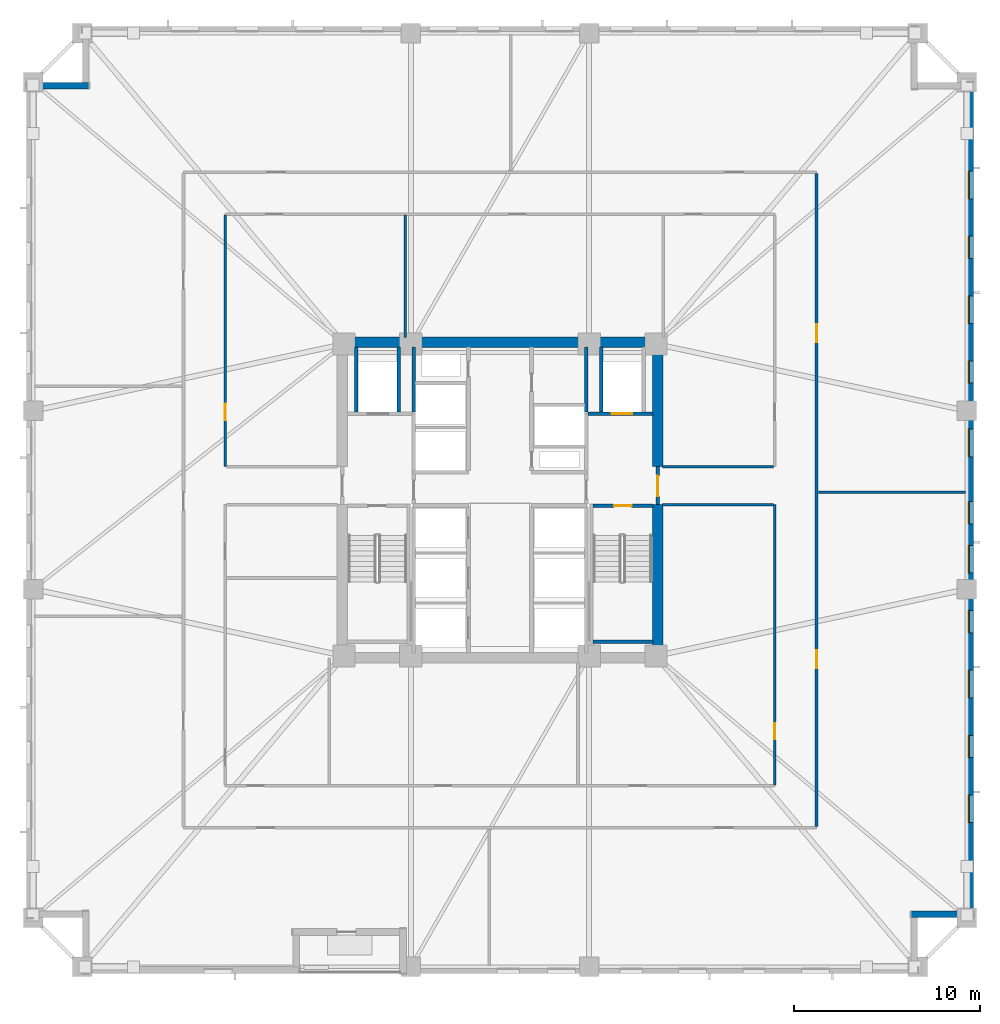
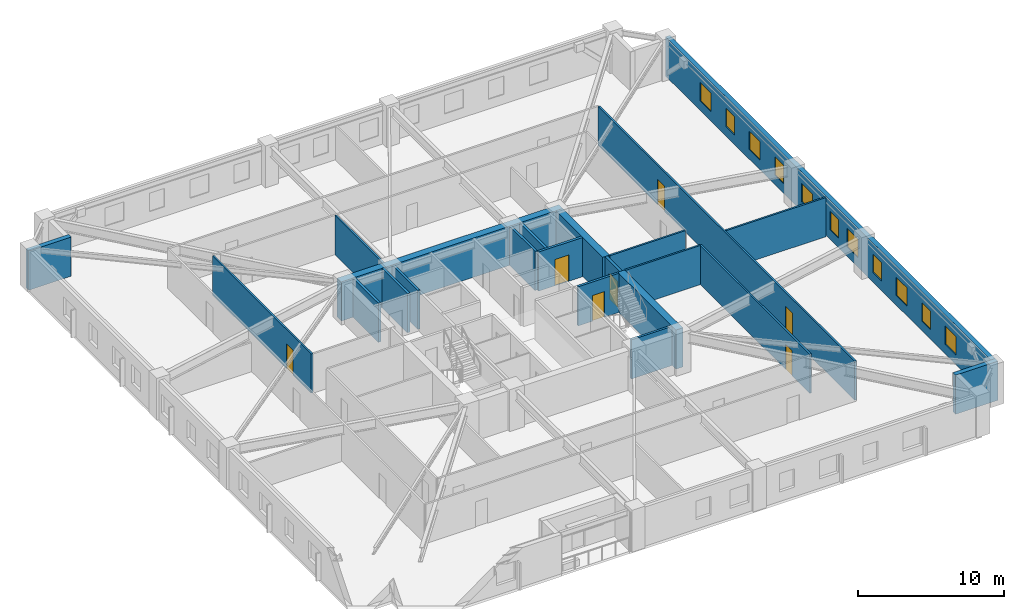
# One storey, part 4 of 10: 22 walls, 11 windows, 7 doors, 18 openings.
"""IFC4 building model written with IfcOpenShell, lengths in metres."""

import ifcopenshell
import ifcopenshell.guid

model = None  # the IFC model being written
_history = None  # IfcOwnerHistory: only IFC2X3 demands one
_inside = {}  # id of a spatial element -> (the spatial element, [elements in it])
_under = {}  # id of a project, library or spatial element -> (it, [spatial elements below it])
_declared = {}  # id of a project -> (the project, [libraries it declares])
_typed = {}  # id of a type object -> (the type object, [elements of that type])
_made_of = {}  # id of a material, layer set ... -> (it, [elements and type objects made of it])


def new_model(schema):
    """Start an empty IFC model of exactly this schema.

    Asked for "IFC4X3", IfcOpenShell would pick the latest addendum, in which some entities
    have other attributes; the version numbers below select the first issue.
    IFC2X3 requires an IfcOwnerHistory on every rooted entity: one is made here for all.
    """
    global model, _history
    if schema == "IFC4X3":
        model = ifcopenshell.file(schema_version=(4, 3, 0, 0))
    else:
        model = ifcopenshell.file(schema=schema)
    _inside.clear()
    _under.clear()
    _declared.clear()
    _typed.clear()
    _made_of.clear()
    _history = None
    if model.schema == "IFC2X3":
        org = make("IfcOrganization", Name="unknown")
        user = make(
            "IfcPersonAndOrganization",
            ThePerson=make("IfcPerson", FamilyName="unknown"),
            TheOrganization=org,
        )
        app = make(
            "IfcApplication",
            ApplicationDeveloper=org,
            Version="unknown",
            ApplicationFullName="unknown",
            ApplicationIdentifier="unknown",
        )
        _history = make(
            "IfcOwnerHistory",
            OwningUser=user,
            OwningApplication=app,
            ChangeAction="ADDED",
            CreationDate=0,
        )
    return model


def make(cls, **values):
    """One entity of the class cls with the attributes given. An attribute that is None is left unset."""
    return model.create_entity(
        cls, **{name: value for name, value in values.items() if value is not None}
    )


def rooted(cls, **values):
    """An entity with a GlobalId (a new one), such as an element, a storey or a relation."""
    return make(cls, GlobalId=ifcopenshell.guid.new(), OwnerHistory=_history, **values)


def si_unit(unit_type, name, prefix=None):
    """IfcSIUnit, for example si_unit("LENGTHUNIT", "METRE", prefix="MILLI")."""
    return make("IfcSIUnit", UnitType=unit_type, Prefix=prefix, Name=name)


def assignment(units):
    """IfcUnitAssignment: the units of a project."""
    return None if units is None else make("IfcUnitAssignment", Units=units)


def point(xyz):
    """IfcCartesianPoint."""
    return None if xyz is None else make("IfcCartesianPoint", Coordinates=xyz)


def direction(xyz):
    """IfcDirection."""
    return None if xyz is None else make("IfcDirection", DirectionRatios=xyz)


def frame(location, z_axis=None, x_axis=None):
    """IfcAxis2Placement3D, a coordinate frame: its origin and axes. An axis left out is left unset."""
    return make(
        "IfcAxis2Placement3D",
        Location=point(location),
        Axis=direction(z_axis),
        RefDirection=direction(x_axis),
    )


def frame_2d(location, x_axis=None):
    """IfcAxis2Placement2D, a coordinate frame in the plane: its origin and x axis."""
    return make(
        "IfcAxis2Placement2D", Location=point(location), RefDirection=direction(x_axis)
    )


def origin():
    """The frame at (0, 0, 0) with its axes left unset."""
    return frame((0.0, 0.0, 0.0))


def place(relative_to, where):
    """IfcLocalPlacement: puts the frame where relative to a parent placement (None: the world)."""
    return make(
        "IfcLocalPlacement", PlacementRelTo=relative_to, RelativePlacement=where
    )


def context(
    kind, dimensions, precision=None, world=None, true_north=None, identifier=None
):
    """IfcGeometricRepresentationContext, for example the 3D "Model" context."""
    return make(
        "IfcGeometricRepresentationContext",
        ContextIdentifier=identifier,
        ContextType=kind,
        CoordinateSpaceDimension=dimensions,
        Precision=precision,
        WorldCoordinateSystem=world,
        TrueNorth=true_north,
    )


def subcontext(parent, identifier, kind, view, scale=None):
    """IfcGeometricRepresentationSubContext, for example "Body" below "Model"."""
    return make(
        "IfcGeometricRepresentationSubContext",
        ContextIdentifier=identifier,
        ContextType=kind,
        ParentContext=parent,
        TargetScale=scale,
        TargetView=view,
    )


def project(units=None, contexts=None):
    """IfcProject with its units and contexts."""
    return rooted(
        "IfcProject",
        Name="project",
        RepresentationContexts=contexts,
        UnitsInContext=assignment(units),
    )


def spatial(cls, under=None, at=None, **own):
    """A site, building, storey or space (cls), placed at a placement, below another one or the project."""
    s = rooted(cls, ObjectPlacement=at, **own)
    if under is not None:
        _under.setdefault(under.id(), (under, []))[1].append(s)
    return s


def profile(cls, at=None, kind="AREA", **sizes):
    """A parametric profile (cls). Its sizes go by their IFC names, for example OverallWidth=200.0."""
    return make(cls, ProfileType=kind, Position=at, **sizes)


def rectangle(**sizes):
    """IfcRectangleProfileDef."""
    return profile("IfcRectangleProfileDef", **sizes)


def extrude(swept, where, along, depth):
    """IfcExtrudedAreaSolid: the profile swept, set in the frame where, extruded along a direction by depth."""
    return make(
        "IfcExtrudedAreaSolid",
        SweptArea=swept,
        Position=where,
        ExtrudedDirection=direction(along),
        Depth=depth,
    )


def shape(context_of_items, identifier, shape_type, items):
    """IfcShapeRepresentation: the items that make up one representation, for example the "Body"."""
    return make(
        "IfcShapeRepresentation",
        ContextOfItems=context_of_items,
        RepresentationIdentifier=identifier,
        RepresentationType=shape_type,
        Items=items,
    )


def material(Name=None, Category=None):
    """IfcMaterial."""
    return make("IfcMaterial", Name=Name, Category=Category)


def layer(
    of_material, thickness, ventilated=None, Name=None, Category=None, Priority=None
):
    """IfcMaterialLayer: one layer of a wall or slab, of a material (None: an air gap)."""
    return make(
        "IfcMaterialLayer",
        Material=of_material,
        LayerThickness=thickness,
        IsVentilated=ventilated,
        Name=Name,
        Category=Category,
        Priority=Priority,
    )


def layer_set(layers, Name=None):
    """IfcMaterialLayerSet."""
    return make("IfcMaterialLayerSet", MaterialLayers=layers, LayerSetName=Name)


def made_of(thing, what):
    """Note that an element or type object is made of a material, layer set ...; save() writes the relation."""
    if what is not None:
        _made_of.setdefault(what.id(), (what, []))[1].append(thing)
    return thing


def type_object(cls, material=None, **own):
    """A type object (cls), such as IfcWallType, which elements share."""
    return made_of(rooted(cls, **own), material)


def element(
    cls,
    number,
    at=None,
    inside=None,
    cuts=None,
    type_object=None,
    material=None,
    context=None,
    identifier="Body",
    shape_type=None,
    held_by="IfcProductDefinitionShape",
    body=None,
    shapes=None,
    **own,
):
    """One element of the class cls, such as IfcWall. Its Tag is "e" and its number.

    at: its placement. inside: the storey or other place that contains it. cuts: it is an
    opening in that element (IfcRelVoidsElement). A single representation is given by context,
    identifier, shape_type and body (its items); several are given by shapes. held_by: the class
    of the entity that holds the representations. save() writes the other relations.
    """
    e = rooted(cls, Tag="e%d" % number, ObjectPlacement=at, **own)
    if body is not None:
        shapes = [shape(context, identifier, shape_type, body)]
    if shapes is not None:
        e.Representation = make(held_by, Representations=shapes)
    if inside is not None:
        _inside.setdefault(inside.id(), (inside, []))[1].append(e)
    if cuts is not None:
        rooted(
            "IfcRelVoidsElement", RelatingBuildingElement=cuts, RelatedOpeningElement=e
        )
    if type_object is not None:
        _typed.setdefault(type_object.id(), (type_object, []))[1].append(e)
    return made_of(e, material)


def fill(opening, filler):
    """IfcRelFillsElement: the door or window that sits in an opening."""
    return rooted(
        "IfcRelFillsElement",
        RelatingOpeningElement=opening,
        RelatedBuildingElement=filler,
    )


def aggregate(whole, parts):
    """IfcRelAggregates: a whole, such as a stair, and the parts it consists of."""
    return rooted("IfcRelAggregates", RelatingObject=whole, RelatedObjects=parts)


def save(model, path):
    """Write the relations noted so far, then the file.

    IfcRelAggregates (storeys below a building ...), IfcRelContainedInSpatialStructure (elements
    in a storey), IfcRelDefinesByType, IfcRelAssociatesMaterial and IfcRelDeclares: one each for
    every whole, place, type object, material and project.
    """
    for whole, parts in _under.values():
        aggregate(whole, parts)
    for where, things in _inside.values():
        rooted(
            "IfcRelContainedInSpatialStructure",
            RelatedElements=things,
            RelatingStructure=where,
        )
    for kind, things in _typed.values():
        rooted("IfcRelDefinesByType", RelatedObjects=things, RelatingType=kind)
    for what, things in _made_of.values():
        rooted("IfcRelAssociatesMaterial", RelatedObjects=things, RelatingMaterial=what)
    for by, libraries in _declared.values():
        rooted("IfcRelDeclares", RelatingContext=by, RelatedDefinitions=libraries)
    model.write(path)


model = new_model("IFC4")

# Units and contexts
model_context = context("Model", 3, precision=1e-05, world=origin(), true_north=direction((0.0, 1.0)))
body_context = subcontext(model_context, "Body", "Model", "MODEL_VIEW")
ifc_project = project(units=[si_unit("LENGTHUNIT", "METRE"), si_unit("AREAUNIT", "SQUARE_METRE"), si_unit("VOLUMEUNIT", "CUBIC_METRE"), si_unit("PLANEANGLEUNIT", "RADIAN"), si_unit("MASSUNIT", "GRAM", prefix="KILO")], contexts=[model_context])

# Site, building, storey
site_placement = place(None, origin())
site = spatial("IfcSite", under=ifc_project, at=site_placement, CompositionType="ELEMENT")
building_placement = place(site_placement, origin())
building = spatial("IfcBuilding", under=site, at=building_placement, Name="Cairnveth Concourse Tower", CompositionType="ELEMENT")
storey_placement = place(building_placement, frame((0.0, 0.0, 30.5)))
storey = spatial("IfcBuildingStorey", under=building, at=storey_placement, Name="L07", CompositionType="ELEMENT", Elevation=30.5)

# Walls
ifc_material_1 = material(Name="Concrete N80 (80 MPa)", Category="concrete")
ifc_layer_1 = layer(ifc_material_1, 0.550048828125)
ifc_layer_set_1 = layer_set([ifc_layer_1], Name="Concrete N80 (80 MPa)")
wall_type_1 = type_object("IfcWallType", Name="CORE SHEAR WALL 550", PredefinedType="SHEAR", material=ifc_layer_set_1)
wall_1_placement = place(storey_placement, frame((43.22509765625, 47.5, 0.0), z_axis=(0.0, 0.0, 1.0), x_axis=(1.0, 0.0, 0.0)))
element("IfcWall", 1, at=wall_1_placement, inside=storey, type_object=wall_type_1, Name="Core North Shear Wall L07", PredefinedType="SHEAR", context=body_context, shape_type="SweptSolid", body=[
    extrude(rectangle(XDim=17.5498046875, YDim=0.550048828125, at=frame_2d((8.77490234375, 0.0))), origin(), (0.0, 0.0, 1.0), 3.280029296875),
])
wall_2_placement = place(storey_placement, frame((60.5, 30.764892578125, 0.0), z_axis=(0.0, 0.0, 1.0), x_axis=(0.0, 1.0, 0.0)))
element("IfcWall", 2, at=wall_2_placement, inside=storey, type_object=wall_type_1, Name="Core East Shear Wall S L07", PredefinedType="SHEAR", context=body_context, shape_type="SweptSolid", body=[
    extrude(rectangle(XDim=7.985107421875, YDim=0.550048828125, at=frame_2d((3.99267578125, 0.0))), origin(), (0.0, 0.0, 1.0), 3.280029296875),
])
wall_3_placement = place(storey_placement, frame((60.5, 40.800048828125, 0.0), z_axis=(0.0, 0.0, 1.0), x_axis=(0.0, 1.0, 0.0)))
element("IfcWall", 3, at=wall_3_placement, inside=storey, type_object=wall_type_1, Name="Core East Shear Wall N L07", PredefinedType="SHEAR", context=body_context, shape_type="SweptSolid", body=[
    extrude(rectangle(XDim=6.43505859375, YDim=0.550048828125, at=frame_2d((3.217529296875, 0.0))), origin(), (0.0, 0.0, 1.0), 3.280029296875),
])
ifc_material_2 = material(Name="Concrete N50 (50 MPa)", Category="concrete")
ifc_layer_2 = layer(ifc_material_2, 0.179931640625)
ifc_layer_set_2 = layer_set([ifc_layer_2], Name="Concrete N50 (50 MPa)")
wall_type_2 = type_object("IfcWallType", Name="FIRE SHAFT WALL 180", PredefinedType="SOLIDWALL", material=ifc_layer_set_2)
for number, where, z_axis, x_axis, name in (
    (4, (47.35009765625, 43.735107421875, 0.0), (0.0, 0.0, 1.0), (0.0, 1.0, 0.0), "Interior Wall IW-L07-031"),
    (5, (56.64990234375, 43.735107421875, 0.0), (0.0, 0.0, 1.0), (0.0, 1.0, 0.0), "Interior Wall IW-L07-034"),
):
    element("IfcWall", number, at=place(storey_placement, frame(where, z_axis=z_axis, x_axis=x_axis)), inside=storey, type_object=wall_type_2, Name=name, PredefinedType="SOLIDWALL", context=body_context, shape_type="SweptSolid", body=[
        extrude(rectangle(XDim=3.5048828125, YDim=0.179931640625, at=frame_2d((1.75244140625, 0.0))), origin(), (0.0, 0.0, 1.0), 3.280029296875),
    ])

# Wall, opening, door
wall_4_placement = place(storey_placement, frame((57.0048828125, 38.68994140625, 0.0), z_axis=(0.0, 0.0, 1.0), x_axis=(1.0, 0.0, 0.0)))
wall_4 = element("IfcWall", 6, at=wall_4_placement, inside=storey, type_object=wall_type_2, Name="Stair ST-2 Shaft Wall NEAR L07", PredefinedType="SOLIDWALL", context=body_context, shape_type="SweptSolid", body=[
    extrude(rectangle(XDim=3.230224609375, YDim=0.179931640625, at=frame_2d((1.615234375, 0.0))), origin(), (0.0, 0.0, 1.0), 3.280029296875),
])
opening_1_placement = place(wall_4_placement, frame((1.139892578125, 0.0, 0.0)))
opening_1 = element("IfcOpeningElement", 7, at=opening_1_placement, cuts=wall_4, Name="Opening ID12", PredefinedType="OPENING", context=body_context, shape_type="SweptSolid", body=[
    extrude(rectangle(XDim=0.949951171875, YDim=2.14990234375, at=frame_2d((0.47509765625, 1.074951171875))), frame((0.0, 0.099853515625, 0.0), z_axis=(0.0, -1.0, 0.0), x_axis=(1.0, 0.0, 0.0)), (0.0, 0.0, 1.0), 0.199951171875),
])
ifc_material_3 = material(Name="Steel Grade 350", Category="steel")
door_type_1 = type_object("IfcDoorType", Name="FIRE STAIR DOOR 950X2150", OperationType="NOTDEFINED", PredefinedType="DOOR", material=ifc_material_3)
door_1_placement = place(opening_1_placement, origin())
door_1 = element("IfcDoor", 8, at=door_1_placement, inside=storey, type_object=door_type_1, Name="Stair ST-2 Fire Door L07", OperationType="SINGLE_SWING_RIGHT", OverallHeight=2.14990234375, OverallWidth=0.949951171875, PredefinedType="DOOR", context=body_context, shape_type="SweptSolid", body=[
    extrude(rectangle(XDim=0.949951171875, YDim=2.14990234375, at=frame_2d((0.47509765625, 1.074951171875))), frame((0.0, 0.02490234375, 0.0), z_axis=(0.0, -1.0, 0.0), x_axis=(1.0, 0.0, 0.0)), (0.0, 0.0, 1.0), 0.050048828125),
])
fill(opening_1, door_1)

# Walls
wall_5_placement = place(storey_placement, frame((57.0048828125, 31.360107421875, 0.0), z_axis=(0.0, 0.0, 1.0), x_axis=(1.0, 0.0, 0.0)))
element("IfcWall", 9, at=wall_5_placement, inside=storey, type_object=wall_type_2, Name="Stair ST-2 Shaft Wall FAR L07", PredefinedType="SOLIDWALL", context=body_context, shape_type="SweptSolid", body=[
    extrude(rectangle(XDim=3.230224609375, YDim=0.179931640625, at=frame_2d((1.615234375, 0.0))), origin(), (0.0, 0.0, 1.0), 3.280029296875),
])
ifc_layer_3 = layer(ifc_material_2, 0.199951171875)
ifc_layer_set_3 = layer_set([ifc_layer_3], Name="Concrete N50 (50 MPa)")
wall_type_3 = type_object("IfcWallType", Name="FIRE SHAFT WALL 200", PredefinedType="SOLIDWALL", material=ifc_layer_set_3)
for number, where, z_axis, x_axis, name in (
    (10, (46.550048828125, 43.735107421875, 0.0), (0.0, 0.0, 1.0), (0.0, 1.0, 0.0), "Interior Wall IW-L07-018"),
    (11, (44.25, 43.735107421875, 0.0), (0.0, 0.0, 1.0), (0.0, 1.0, 0.0), "Interior Wall IW-L07-019"),
):
    element("IfcWall", number, at=place(storey_placement, frame(where, z_axis=z_axis, x_axis=x_axis)), inside=storey, type_object=wall_type_3, Name=name, PredefinedType="SOLIDWALL", context=body_context, shape_type="SweptSolid", body=[
        extrude(rectangle(XDim=3.5048828125, YDim=0.199951171875, at=frame_2d((1.75244140625, 0.0))), origin(), (0.0, 0.0, 1.0), 3.280029296875),
    ])

# Wall, opening, door
wall_6_placement = place(storey_placement, frame((60.5, 38.75, 0.0), z_axis=(0.0, 0.0, 1.0), x_axis=(0.0, 1.0, 0.0)))
wall_6 = element("IfcWall", 12, at=wall_6_placement, inside=storey, type_object=wall_type_3, Name="Interior Wall IW-L07-020", PredefinedType="SOLIDWALL", context=body_context, shape_type="SweptSolid", body=[
    extrude(rectangle(XDim=2.050048828125, YDim=0.199951171875, at=frame_2d((1.02490234375, 0.0))), origin(), (0.0, 0.0, 1.0), 3.280029296875),
])
opening_2_placement = place(wall_6_placement, frame((0.449951171875, 0.0, 0.0)))
opening_2 = element("IfcOpeningElement", 13, at=opening_2_placement, cuts=wall_6, Name="Opening ID06", PredefinedType="OPENING", context=body_context, shape_type="SweptSolid", body=[
    extrude(rectangle(XDim=1.10009765625, YDim=2.14990234375, at=frame_2d((0.550048828125, 1.074951171875))), frame((0.0, 0.10986328125, 0.0), z_axis=(0.0, -1.0, 0.0), x_axis=(1.0, 0.0, 0.0)), (0.0, 0.0, 1.0), 0.219970703125),
])
door_type_2 = type_object("IfcDoorType", Name="FIRE CORRIDOR DOOR 1100X2150", OperationType="NOTDEFINED", PredefinedType="DOOR", material=ifc_material_3)
door_2_placement = place(opening_2_placement, origin())
door_2 = element("IfcDoor", 14, at=door_2_placement, inside=storey, type_object=door_type_2, Name="East Wing to FF Lobby Door L07", OperationType="SINGLE_SWING_RIGHT", OverallHeight=2.14990234375, OverallWidth=1.10009765625, PredefinedType="DOOR", context=body_context, shape_type="SweptSolid", body=[
    extrude(rectangle(XDim=1.10009765625, YDim=2.14990234375, at=frame_2d((0.550048828125, 1.074951171875))), frame((0.0, 0.02490234375, 0.0), z_axis=(0.0, -1.0, 0.0), x_axis=(1.0, 0.0, 0.0)), (0.0, 0.0, 1.0), 0.050048828125),
])
fill(opening_2, door_2)

wall_7_placement = place(storey_placement, frame((56.735107421875, 43.64990234375, 0.0), z_axis=(0.0, 0.0, 1.0), x_axis=(1.0, 0.0, 0.0)))
wall_7 = element("IfcWall", 15, at=wall_7_placement, inside=storey, type_object=wall_type_3, Name="Interior Wall IW-L07-022", PredefinedType="SOLIDWALL", context=body_context, shape_type="SweptSolid", body=[
    extrude(rectangle(XDim=3.5048828125, YDim=0.199951171875, at=frame_2d((1.75244140625, 0.0))), origin(), (0.0, 0.0, 1.0), 3.280029296875),
])
opening_3_placement = place(wall_7_placement, frame((1.294921875, 0.0, 0.0)))
opening_3 = element("IfcOpeningElement", 16, at=opening_3_placement, cuts=wall_7, Name="Opening LD-1", PredefinedType="OPENING", context=body_context, shape_type="SweptSolid", body=[
    extrude(rectangle(XDim=1.10009765625, YDim=2.199951171875, at=frame_2d((0.550048828125, 1.10009765625))), frame((0.0, 0.10986328125, 0.0), z_axis=(0.0, -1.0, 0.0), x_axis=(1.0, 0.0, 0.0)), (0.0, 0.0, 1.0), 0.219970703125),
])
ifc_material_4 = material(Name="Architectural Bronze Anodised Aluminium 6063-T6", Category="aluminium")
door_type_3 = type_object("IfcDoorType", Name="LIFT LANDING DOOR 1100X2200", OperationType="SLIDING_TO_LEFT", PredefinedType="DOOR", material=ifc_material_4)
door_3_placement = place(opening_3_placement, origin())
door_3 = element("IfcDoor", 17, at=door_3_placement, inside=storey, type_object=door_type_3, Name="Lift FFL2 Landing Door L07", OperationType="SLIDING_TO_LEFT", OverallHeight=2.199951171875, OverallWidth=1.10009765625, PredefinedType="DOOR", context=body_context, shape_type="SweptSolid", body=[
    extrude(rectangle(XDim=1.10009765625, YDim=2.199951171875, at=frame_2d((0.550048828125, 1.10009765625))), frame((0.0, 0.02490234375, 0.0), z_axis=(0.0, -1.0, 0.0), x_axis=(1.0, 0.0, 0.0)), (0.0, 0.0, 1.0), 0.050048828125),
])
fill(opening_3, door_3)

# Wall
wall_8_placement = place(storey_placement, frame((57.449951171875, 43.735107421875, 0.0), z_axis=(0.0, 0.0, 1.0), x_axis=(0.0, 1.0, 0.0)))
element("IfcWall", 18, at=wall_8_placement, inside=storey, type_object=wall_type_3, Name="Interior Wall IW-L07-023", PredefinedType="SOLIDWALL", context=body_context, shape_type="SweptSolid", body=[
    extrude(rectangle(XDim=3.5048828125, YDim=0.199951171875, at=frame_2d((1.75244140625, 0.0))), origin(), (0.0, 0.0, 1.0), 3.280029296875),
])

# Wall, openings, doors
ifc_material_5 = material(Name="Gypsum Plasterboard Partition", Category="gypsum")
ifc_layer_4 = layer(ifc_material_5, 0.139892578125)
ifc_layer_set_4 = layer_set([ifc_layer_4], Name="Gypsum Plasterboard Partition")
wall_type_4 = type_object("IfcWallType", Name="GYPSUM STUD PARTITION 140", PredefinedType="PARTITIONING", material=ifc_layer_set_4)
wall_9_placement = place(storey_placement, frame((69.050048828125, 21.405029296875, 0.0), z_axis=(0.0, 0.0, 1.0), x_axis=(0.0, 1.0, 0.0)))
wall_9 = element("IfcWall", 19, at=wall_9_placement, inside=storey, type_object=wall_type_4, Name="Interior Wall IW-L07-040", PredefinedType="PARTITIONING", context=body_context, shape_type="SweptSolid", body=[
    extrude(rectangle(XDim=35.18994140625, YDim=0.139892578125, at=frame_2d((17.594970703125, 0.0))), origin(), (0.0, 0.0, 1.0), 3.280029296875),
])
opening_4_placement = place(wall_9_placement, frame((8.544921875, 0.0, 0.0)))
opening_4 = element("IfcOpeningElement", 20, at=opening_4_placement, cuts=wall_9, Name="Opening ID11", PredefinedType="OPENING", context=body_context, shape_type="SweptSolid", body=[
    extrude(rectangle(XDim=0.9599609375, YDim=2.1201171875, at=frame_2d((0.47998046875, 1.06005859375))), frame((0.0, 0.079833984375, 0.0), z_axis=(0.0, -1.0, 0.0), x_axis=(1.0, 0.0, 0.0)), (0.0, 0.0, 1.0), 0.159912109375),
])
opening_5_placement = place(wall_9_placement, frame((26.0947265625, 0.0, 0.0)))
opening_5 = element("IfcOpeningElement", 21, at=opening_5_placement, cuts=wall_9, Name="Opening ID11", PredefinedType="OPENING", context=body_context, shape_type="SweptSolid", body=[
    extrude(rectangle(XDim=0.9599609375, YDim=2.1201171875, at=frame_2d((0.47998046875, 1.06005859375))), frame((0.0, 0.079833984375, 0.0), z_axis=(0.0, -1.0, 0.0), x_axis=(1.0, 0.0, 0.0)), (0.0, 0.0, 1.0), 0.159912109375),
])
ifc_material_6 = material(Name="Solid Core Hardwood Timber Leaf", Category="wood")
door_type_4 = type_object("IfcDoorType", Name="INTERIOR SINGLE DOOR 960X2150", OperationType="NOTDEFINED", PredefinedType="DOOR", material=ifc_material_6)
door_4_placement = place(opening_4_placement, origin())
door_4 = element("IfcDoor", 22, at=door_4_placement, inside=storey, type_object=door_type_4, Name="Office Door L07-E1", OperationType="SINGLE_SWING_LEFT", OverallHeight=2.1201171875, OverallWidth=0.9599609375, PredefinedType="DOOR", context=body_context, shape_type="SweptSolid", body=[
    extrude(rectangle(XDim=0.9599609375, YDim=2.1201171875, at=frame_2d((0.47998046875, 1.06005859375))), frame((0.0, 0.02490234375, 0.0), z_axis=(0.0, -1.0, 0.0), x_axis=(1.0, 0.0, 0.0)), (0.0, 0.0, 1.0), 0.050048828125),
])
fill(opening_4, door_4)
door_5_placement = place(opening_5_placement, origin())
door_5 = element("IfcDoor", 23, at=door_5_placement, inside=storey, type_object=door_type_4, Name="Office Door L07-E2", OperationType="SINGLE_SWING_RIGHT", OverallHeight=2.1201171875, OverallWidth=0.9599609375, PredefinedType="DOOR", context=body_context, shape_type="SweptSolid", body=[
    extrude(rectangle(XDim=0.9599609375, YDim=2.1201171875, at=frame_2d((0.47998046875, 1.06005859375))), frame((0.0, 0.02490234375, 0.0), z_axis=(0.0, -1.0, 0.0), x_axis=(1.0, 0.0, 0.0)), (0.0, 0.0, 1.0), 0.050048828125),
])
fill(opening_5, door_5)

# Wall, opening, door
wall_10_placement = place(storey_placement, frame((37.199951171875, 40.800048828125, 0.0), z_axis=(0.0, 0.0, 1.0), x_axis=(0.0, 1.0, 0.0)))
wall_10 = element("IfcWall", 24, at=wall_10_placement, inside=storey, type_object=wall_type_4, Name="Interior Wall IW-L07-044", PredefinedType="PARTITIONING", context=body_context, shape_type="SweptSolid", body=[
    extrude(rectangle(XDim=13.544921875, YDim=0.139892578125, at=frame_2d((6.7724609375, 0.0))), origin(), (0.0, 0.0, 1.0), 3.280029296875),
])
opening_6_placement = place(wall_10_placement, frame((2.5, 0.0, 0.0)))
opening_6 = element("IfcOpeningElement", 25, at=opening_6_placement, cuts=wall_10, Name="Opening ID18", PredefinedType="OPENING", context=body_context, shape_type="SweptSolid", body=[
    extrude(rectangle(XDim=0.8798828125, YDim=2.10009765625, at=frame_2d((0.43994140625, 1.050048828125))), frame((0.0, 0.079833984375, 0.0), z_axis=(0.0, -1.0, 0.0), x_axis=(1.0, 0.0, 0.0)), (0.0, 0.0, 1.0), 0.159912109375),
])
door_type_5 = type_object("IfcDoorType", Name="INTERIOR SINGLE DOOR 880X2100", OperationType="NOTDEFINED", PredefinedType="DOOR", material=ifc_material_6)
door_6_placement = place(opening_6_placement, origin())
door_6 = element("IfcDoor", 26, at=door_6_placement, inside=storey, type_object=door_type_5, Name="Interior Door DR-L07-021", OperationType="SINGLE_SWING_LEFT", OverallHeight=2.10009765625, OverallWidth=0.8798828125, PredefinedType="DOOR", context=body_context, shape_type="SweptSolid", body=[
    extrude(rectangle(XDim=0.8798828125, YDim=2.10009765625, at=frame_2d((0.43994140625, 1.050048828125))), frame((0.0, 0.02490234375, 0.0), z_axis=(0.0, -1.0, 0.0), x_axis=(1.0, 0.0, 0.0)), (0.0, 0.0, 1.0), 0.050048828125),
])
fill(opening_6, door_6)

wall_11_placement = place(storey_placement, frame((66.800048828125, 23.655029296875, 0.0), z_axis=(0.0, 0.0, 1.0), x_axis=(0.0, 1.0, 0.0)))
wall_11 = element("IfcWall", 27, at=wall_11_placement, inside=storey, type_object=wall_type_4, Name="Interior Wall IW-L07-047", PredefinedType="PARTITIONING", context=body_context, shape_type="SweptSolid", body=[
    extrude(rectangle(XDim=15.094970703125, YDim=0.139892578125, at=frame_2d((7.54736328125, 0.0))), origin(), (0.0, 0.0, 1.0), 3.280029296875),
])
opening_7_placement = place(wall_11_placement, frame((2.445068359375, 0.0, 0.0)))
opening_7 = element("IfcOpeningElement", 28, at=opening_7_placement, cuts=wall_11, Name="Opening ID18", PredefinedType="OPENING", context=body_context, shape_type="SweptSolid", body=[
    extrude(rectangle(XDim=0.8798828125, YDim=2.10009765625, at=frame_2d((0.43994140625, 1.050048828125))), frame((0.0, 0.079833984375, 0.0), z_axis=(0.0, -1.0, 0.0), x_axis=(1.0, 0.0, 0.0)), (0.0, 0.0, 1.0), 0.159912109375),
])
door_7_placement = place(opening_7_placement, origin())
door_7 = element("IfcDoor", 29, at=door_7_placement, inside=storey, type_object=door_type_5, Name="Interior Door DR-L07-022", OperationType="SINGLE_SWING_RIGHT", OverallHeight=2.10009765625, OverallWidth=0.8798828125, PredefinedType="DOOR", context=body_context, shape_type="SweptSolid", body=[
    extrude(rectangle(XDim=0.8798828125, YDim=2.10009765625, at=frame_2d((0.43994140625, 1.050048828125))), frame((0.0, 0.02490234375, 0.0), z_axis=(0.0, -1.0, 0.0), x_axis=(1.0, 0.0, 0.0)), (0.0, 0.0, 1.0), 0.050048828125),
])
fill(opening_7, door_7)

# Walls
for number, where, z_axis, x_axis, name in (
    (30, (60.760009765625, 38.75, 0.0), (0.0, 0.0, 1.0), (1.0, 0.0, 0.0), "Interior Wall IW-L07-049"),
    (31, (60.760009765625, 40.800048828125, 0.0), (0.0, 0.0, 1.0), (1.0, 0.0, 0.0), "Interior Wall IW-L07-050"),
):
    element("IfcWall", number, at=place(storey_placement, frame(where, z_axis=z_axis, x_axis=x_axis)), inside=storey, type_object=wall_type_4, Name=name, PredefinedType="PARTITIONING", context=body_context, shape_type="SweptSolid", body=[
        extrude(rectangle(XDim=5.985107421875, YDim=0.139892578125, at=frame_2d((2.99267578125, 0.0))), origin(), (0.0, 0.0, 1.0), 3.280029296875),
    ])
wall_12_placement = place(storey_placement, frame((46.89990234375, 47.760009765625, 0.0), z_axis=(0.0, 0.0, 1.0), x_axis=(0.0, 1.0, 0.0)))
element("IfcWall", 32, at=wall_12_placement, inside=storey, type_object=wall_type_4, Name="Interior Wall IW-L07-053", PredefinedType="PARTITIONING", context=body_context, shape_type="SweptSolid", body=[
    extrude(rectangle(XDim=6.5849609375, YDim=0.139892578125, at=frame_2d((3.29248046875, 0.0))), origin(), (0.0, 0.0, 1.0), 3.280029296875),
])
wall_13_placement = place(storey_placement, frame((69.14990234375, 39.409423828125, 0.0), z_axis=(0.0, 0.0, 1.0), x_axis=(1.0, 0.0, 0.0)))
element("IfcWall", 33, at=wall_13_placement, inside=storey, type_object=wall_type_4, Name="Interior Wall IW-L07-060", PredefinedType="PARTITIONING", context=body_context, shape_type="SweptSolid", body=[
    extrude(rectangle(XDim=7.93017578125, YDim=0.139892578125, at=frame_2d((3.965087890625, 0.0))), origin(), (0.0, 0.0, 1.0), 3.280029296875),
])
ifc_material_7 = material(Name="Hawthorn Red-Ochre Fired Clay Brick Masonry", Category="masonry")
ifc_layer_5 = layer(ifc_material_7, 0.360107421875)
ifc_layer_set_5 = layer_set([ifc_layer_5], Name="Hawthorn Red-Ochre Fired Clay Brick Masonry")
wall_type_5 = type_object("IfcWallType", Name="ZONE 1 BRICK PIER SPANDREL WALL 360", PredefinedType="SOLIDWALL", material=ifc_layer_set_5)
wall_14_placement = place(storey_placement, frame((26.5, 61.320068359375, 0.0), z_axis=(0.0, 0.0, 1.0), x_axis=(1.0, 0.0, 0.0)))
element("IfcWall", 34, at=wall_14_placement, inside=storey, type_object=wall_type_5, Name="Exterior Wall EW-L07-S04", PredefinedType="SOLIDWALL", context=body_context, shape_type="SweptSolid", body=[
    extrude(rectangle(XDim=3.360107421875, YDim=0.360107421875, at=frame_2d((1.68017578125, 0.0))), origin(), (0.0, 0.0, 1.0), 3.280029296875),
])

# Wall, openings, windows
wall_15_placement = place(storey_placement, frame((77.320068359375, 61.5, 0.0), z_axis=(0.0, 0.0, 1.0), x_axis=(0.0, -1.0, 0.0)))
wall_15 = element("IfcWall", 35, at=wall_15_placement, inside=storey, type_object=wall_type_5, Name="Exterior Wall EW-L07-S09", PredefinedType="SOLIDWALL", context=body_context, shape_type="SweptSolid", body=[
    extrude(rectangle(XDim=44.662109375, YDim=0.360107421875, at=frame_2d((22.3310546875, 0.0))), origin(), (0.0, 0.0, 1.0), 3.280029296875),
])
opening_8_placement = place(wall_15_placement, frame((4.780029296875, 0.0, 0.800048828125)))
opening_8 = element("IfcOpeningElement", 36, at=opening_8_placement, cuts=wall_15, Name="Opening W03", PredefinedType="OPENING", context=body_context, shape_type="SweptSolid", body=[
    extrude(rectangle(XDim=1.5, YDim=1.5439453125, at=frame_2d((0.75, 0.77197265625))), frame((0.0, 0.18994140625, 0.0), z_axis=(0.0, -1.0, 0.0), x_axis=(1.0, 0.0, 0.0)), (0.0, 0.0, 1.0), 0.380126953125),
])
opening_9_placement = place(wall_15_placement, frame((8.290283203125, 0.0, 0.800048828125)))
opening_9 = element("IfcOpeningElement", 37, at=opening_9_placement, cuts=wall_15, Name="Opening W01", PredefinedType="OPENING", context=body_context, shape_type="SweptSolid", body=[
    extrude(rectangle(XDim=1.199951171875, YDim=1.5439453125, at=frame_2d((0.60009765625, 0.77197265625))), frame((0.0, 0.18994140625, 0.0), z_axis=(0.0, -1.0, 0.0), x_axis=(1.0, 0.0, 0.0)), (0.0, 0.0, 1.0), 0.380126953125),
])
opening_10_placement = place(wall_15_placement, frame((11.50048828125, 0.0, 0.800048828125)))
opening_10 = element("IfcOpeningElement", 38, at=opening_10_placement, cuts=wall_15, Name="Opening W03", PredefinedType="OPENING", context=body_context, shape_type="SweptSolid", body=[
    extrude(rectangle(XDim=1.5, YDim=1.5439453125, at=frame_2d((0.75, 0.77197265625))), frame((0.0, 0.18994140625, 0.0), z_axis=(0.0, -1.0, 0.0), x_axis=(1.0, 0.0, 0.0)), (0.0, 0.0, 1.0), 0.380126953125),
])
opening_11_placement = place(wall_15_placement, frame((15.010498046875, 0.0, 0.800048828125)))
opening_11 = element("IfcOpeningElement", 39, at=opening_11_placement, cuts=wall_15, Name="Opening W01", PredefinedType="OPENING", context=body_context, shape_type="SweptSolid", body=[
    extrude(rectangle(XDim=1.199951171875, YDim=1.5439453125, at=frame_2d((0.60009765625, 0.77197265625))), frame((0.0, 0.18994140625, 0.0), z_axis=(0.0, -1.0, 0.0), x_axis=(1.0, 0.0, 0.0)), (0.0, 0.0, 1.0), 0.380126953125),
])
opening_12_placement = place(wall_15_placement, frame((18.6708984375, 0.0, 0.800048828125)))
opening_12 = element("IfcOpeningElement", 40, at=opening_12_placement, cuts=wall_15, Name="Opening W03", PredefinedType="OPENING", context=body_context, shape_type="SweptSolid", body=[
    extrude(rectangle(XDim=1.5, YDim=1.5439453125, at=frame_2d((0.75, 0.77197265625))), frame((0.0, 0.18994140625, 0.0), z_axis=(0.0, -1.0, 0.0), x_axis=(1.0, 0.0, 0.0)), (0.0, 0.0, 1.0), 0.380126953125),
])
opening_13_placement = place(wall_15_placement, frame((22.5810546875, 0.0, 0.800048828125)))
opening_13 = element("IfcOpeningElement", 41, at=opening_13_placement, cuts=wall_15, Name="Opening W01", PredefinedType="OPENING", context=body_context, shape_type="SweptSolid", body=[
    extrude(rectangle(XDim=1.199951171875, YDim=1.5439453125, at=frame_2d((0.60009765625, 0.77197265625))), frame((0.0, 0.18994140625, 0.0), z_axis=(0.0, -1.0, 0.0), x_axis=(1.0, 0.0, 0.0)), (0.0, 0.0, 1.0), 0.380126953125),
])
opening_14_placement = place(wall_15_placement, frame((24.941162109375, 0.0, 0.800048828125)))
opening_14 = element("IfcOpeningElement", 42, at=opening_14_placement, cuts=wall_15, Name="Opening W03", PredefinedType="OPENING", context=body_context, shape_type="SweptSolid", body=[
    extrude(rectangle(XDim=1.5, YDim=1.5439453125, at=frame_2d((0.75, 0.77197265625))), frame((0.0, 0.18994140625, 0.0), z_axis=(0.0, -1.0, 0.0), x_axis=(1.0, 0.0, 0.0)), (0.0, 0.0, 1.0), 0.380126953125),
])
opening_15_placement = place(wall_15_placement, frame((28.451416015625, 0.0, 0.800048828125)))
opening_15 = element("IfcOpeningElement", 43, at=opening_15_placement, cuts=wall_15, Name="Opening W01", PredefinedType="OPENING", context=body_context, shape_type="SweptSolid", body=[
    extrude(rectangle(XDim=1.199951171875, YDim=1.5439453125, at=frame_2d((0.60009765625, 0.77197265625))), frame((0.0, 0.18994140625, 0.0), z_axis=(0.0, -1.0, 0.0), x_axis=(1.0, 0.0, 0.0)), (0.0, 0.0, 1.0), 0.380126953125),
])
opening_16_placement = place(wall_15_placement, frame((31.66162109375, 0.0, 0.800048828125)))
opening_16 = element("IfcOpeningElement", 44, at=opening_16_placement, cuts=wall_15, Name="Opening W03", PredefinedType="OPENING", context=body_context, shape_type="SweptSolid", body=[
    extrude(rectangle(XDim=1.5, YDim=1.5439453125, at=frame_2d((0.75, 0.77197265625))), frame((0.0, 0.18994140625, 0.0), z_axis=(0.0, -1.0, 0.0), x_axis=(1.0, 0.0, 0.0)), (0.0, 0.0, 1.0), 0.380126953125),
])
opening_17_placement = place(wall_15_placement, frame((35.171630859375, 0.0, 0.800048828125)))
opening_17 = element("IfcOpeningElement", 45, at=opening_17_placement, cuts=wall_15, Name="Opening W01", PredefinedType="OPENING", context=body_context, shape_type="SweptSolid", body=[
    extrude(rectangle(XDim=1.199951171875, YDim=1.5439453125, at=frame_2d((0.60009765625, 0.77197265625))), frame((0.0, 0.18994140625, 0.0), z_axis=(0.0, -1.0, 0.0), x_axis=(1.0, 0.0, 0.0)), (0.0, 0.0, 1.0), 0.380126953125),
])
opening_18_placement = place(wall_15_placement, frame((38.3818359375, 0.0, 0.800048828125)))
opening_18 = element("IfcOpeningElement", 46, at=opening_18_placement, cuts=wall_15, Name="Opening W03", PredefinedType="OPENING", context=body_context, shape_type="SweptSolid", body=[
    extrude(rectangle(XDim=1.5, YDim=1.5439453125, at=frame_2d((0.75, 0.77197265625))), frame((0.0, 0.18994140625, 0.0), z_axis=(0.0, -1.0, 0.0), x_axis=(1.0, 0.0, 0.0)), (0.0, 0.0, 1.0), 0.380126953125),
])
ifc_material_8 = material(Name="Double Glazed Low-E Clear Glass", Category="glass")
window_type_1 = type_object("IfcWindowType", Name="DEEP-SET GOTHIC LANCET WINDOW 1200X1800", PartitioningType="DOUBLE_PANEL_VERTICAL", PredefinedType="WINDOW", material=ifc_material_8)
window_1_placement = place(opening_9_placement, origin())
window_1 = element("IfcWindow", 47, at=window_1_placement, inside=storey, type_object=window_type_1, Name="Gothic Lancet Window L07-9-2", OverallHeight=1.5439453125, OverallWidth=1.199951171875, PartitioningType="SINGLE_PANEL", PredefinedType="WINDOW", context=body_context, shape_type="SweptSolid", body=[
    extrude(rectangle(XDim=1.199951171875, YDim=1.5439453125, at=frame_2d((0.60009765625, 0.77197265625))), frame((0.0, -0.050048828125, 0.0), z_axis=(0.0, -1.0, 0.0), x_axis=(1.0, 0.0, 0.0)), (0.0, 0.0, 1.0), 0.06005859375),
])
fill(opening_9, window_1)
window_2_placement = place(opening_11_placement, origin())
window_2 = element("IfcWindow", 48, at=window_2_placement, inside=storey, type_object=window_type_1, Name="Gothic Lancet Window L07-9-4", OverallHeight=1.5439453125, OverallWidth=1.199951171875, PartitioningType="SINGLE_PANEL", PredefinedType="WINDOW", context=body_context, shape_type="SweptSolid", body=[
    extrude(rectangle(XDim=1.199951171875, YDim=1.5439453125, at=frame_2d((0.60009765625, 0.77197265625))), frame((0.0, -0.050048828125, 0.0), z_axis=(0.0, -1.0, 0.0), x_axis=(1.0, 0.0, 0.0)), (0.0, 0.0, 1.0), 0.06005859375),
])
fill(opening_11, window_2)
window_3_placement = place(opening_13_placement, origin())
window_3 = element("IfcWindow", 49, at=window_3_placement, inside=storey, type_object=window_type_1, Name="Gothic Lancet Window L07-9-6", OverallHeight=1.5439453125, OverallWidth=1.199951171875, PartitioningType="SINGLE_PANEL", PredefinedType="WINDOW", context=body_context, shape_type="SweptSolid", body=[
    extrude(rectangle(XDim=1.199951171875, YDim=1.5439453125, at=frame_2d((0.60009765625, 0.77197265625))), frame((0.0, -0.050048828125, 0.0), z_axis=(0.0, -1.0, 0.0), x_axis=(1.0, 0.0, 0.0)), (0.0, 0.0, 1.0), 0.06005859375),
])
fill(opening_13, window_3)
window_4_placement = place(opening_15_placement, origin())
window_4 = element("IfcWindow", 50, at=window_4_placement, inside=storey, type_object=window_type_1, Name="Gothic Lancet Window L07-9-8", OverallHeight=1.5439453125, OverallWidth=1.199951171875, PartitioningType="SINGLE_PANEL", PredefinedType="WINDOW", context=body_context, shape_type="SweptSolid", body=[
    extrude(rectangle(XDim=1.199951171875, YDim=1.5439453125, at=frame_2d((0.60009765625, 0.77197265625))), frame((0.0, -0.050048828125, 0.0), z_axis=(0.0, -1.0, 0.0), x_axis=(1.0, 0.0, 0.0)), (0.0, 0.0, 1.0), 0.06005859375),
])
fill(opening_15, window_4)
window_5_placement = place(opening_17_placement, origin())
window_5 = element("IfcWindow", 51, at=window_5_placement, inside=storey, type_object=window_type_1, Name="Gothic Lancet Window L07-9-10", OverallHeight=1.5439453125, OverallWidth=1.199951171875, PartitioningType="SINGLE_PANEL", PredefinedType="WINDOW", context=body_context, shape_type="SweptSolid", body=[
    extrude(rectangle(XDim=1.199951171875, YDim=1.5439453125, at=frame_2d((0.60009765625, 0.77197265625))), frame((0.0, -0.050048828125, 0.0), z_axis=(0.0, -1.0, 0.0), x_axis=(1.0, 0.0, 0.0)), (0.0, 0.0, 1.0), 0.06005859375),
])
fill(opening_17, window_5)
window_type_2 = type_object("IfcWindowType", Name="DEEP-SET GOTHIC LANCET WINDOW 1500X1800", PartitioningType="DOUBLE_PANEL_VERTICAL", PredefinedType="WINDOW", material=ifc_material_8)
window_6_placement = place(opening_8_placement, origin())
window_6 = element("IfcWindow", 52, at=window_6_placement, inside=storey, type_object=window_type_2, Name="Gothic Lancet Window L07-9-1", OverallHeight=1.5439453125, OverallWidth=1.5, PartitioningType="SINGLE_PANEL", PredefinedType="WINDOW", context=body_context, shape_type="SweptSolid", body=[
    extrude(rectangle(XDim=1.5, YDim=1.5439453125, at=frame_2d((0.75, 0.77197265625))), frame((0.0, -0.050048828125, 0.0), z_axis=(0.0, -1.0, 0.0), x_axis=(1.0, 0.0, 0.0)), (0.0, 0.0, 1.0), 0.06005859375),
])
fill(opening_8, window_6)
window_7_placement = place(opening_10_placement, origin())
window_7 = element("IfcWindow", 53, at=window_7_placement, inside=storey, type_object=window_type_2, Name="Gothic Lancet Window L07-9-3", OverallHeight=1.5439453125, OverallWidth=1.5, PartitioningType="SINGLE_PANEL", PredefinedType="WINDOW", context=body_context, shape_type="SweptSolid", body=[
    extrude(rectangle(XDim=1.5, YDim=1.5439453125, at=frame_2d((0.75, 0.77197265625))), frame((0.0, -0.050048828125, 0.0), z_axis=(0.0, -1.0, 0.0), x_axis=(1.0, 0.0, 0.0)), (0.0, 0.0, 1.0), 0.06005859375),
])
fill(opening_10, window_7)
window_8_placement = place(opening_12_placement, origin())
window_8 = element("IfcWindow", 54, at=window_8_placement, inside=storey, type_object=window_type_2, Name="Gothic Lancet Window L07-9-5", OverallHeight=1.5439453125, OverallWidth=1.5, PartitioningType="SINGLE_PANEL", PredefinedType="WINDOW", context=body_context, shape_type="SweptSolid", body=[
    extrude(rectangle(XDim=1.5, YDim=1.5439453125, at=frame_2d((0.75, 0.77197265625))), frame((0.0, -0.050048828125, 0.0), z_axis=(0.0, -1.0, 0.0), x_axis=(1.0, 0.0, 0.0)), (0.0, 0.0, 1.0), 0.06005859375),
])
fill(opening_12, window_8)
window_9_placement = place(opening_14_placement, origin())
window_9 = element("IfcWindow", 55, at=window_9_placement, inside=storey, type_object=window_type_2, Name="Gothic Lancet Window L07-9-7", OverallHeight=1.5439453125, OverallWidth=1.5, PartitioningType="SINGLE_PANEL", PredefinedType="WINDOW", context=body_context, shape_type="SweptSolid", body=[
    extrude(rectangle(XDim=1.5, YDim=1.5439453125, at=frame_2d((0.75, 0.77197265625))), frame((0.0, -0.050048828125, 0.0), z_axis=(0.0, -1.0, 0.0), x_axis=(1.0, 0.0, 0.0)), (0.0, 0.0, 1.0), 0.06005859375),
])
fill(opening_14, window_9)
window_10_placement = place(opening_16_placement, origin())
window_10 = element("IfcWindow", 56, at=window_10_placement, inside=storey, type_object=window_type_2, Name="Gothic Lancet Window L07-9-9", OverallHeight=1.5439453125, OverallWidth=1.5, PartitioningType="SINGLE_PANEL", PredefinedType="WINDOW", context=body_context, shape_type="SweptSolid", body=[
    extrude(rectangle(XDim=1.5, YDim=1.5439453125, at=frame_2d((0.75, 0.77197265625))), frame((0.0, -0.050048828125, 0.0), z_axis=(0.0, -1.0, 0.0), x_axis=(1.0, 0.0, 0.0)), (0.0, 0.0, 1.0), 0.06005859375),
])
fill(opening_16, window_10)
window_11_placement = place(opening_18_placement, origin())
window_11 = element("IfcWindow", 57, at=window_11_placement, inside=storey, type_object=window_type_2, Name="Gothic Lancet Window L07-9-11", OverallHeight=1.5439453125, OverallWidth=1.5, PartitioningType="SINGLE_PANEL", PredefinedType="WINDOW", context=body_context, shape_type="SweptSolid", body=[
    extrude(rectangle(XDim=1.5, YDim=1.5439453125, at=frame_2d((0.75, 0.77197265625))), frame((0.0, -0.050048828125, 0.0), z_axis=(0.0, -1.0, 0.0), x_axis=(1.0, 0.0, 0.0)), (0.0, 0.0, 1.0), 0.06005859375),
])
fill(opening_18, window_11)

# Wall
wall_16_placement = place(storey_placement, frame((77.5, 16.679931640625, 0.0), z_axis=(0.0, 0.0, 1.0), x_axis=(-1.0, 0.0, 0.0)))
element("IfcWall", 58, at=wall_16_placement, inside=storey, type_object=wall_type_5, Name="Exterior Wall EW-L07-S10", PredefinedType="SOLIDWALL", context=body_context, shape_type="SweptSolid", body=[
    extrude(rectangle(XDim=3.360107421875, YDim=0.360107421875, at=frame_2d((1.68017578125, 0.0))), origin(), (0.0, 0.0, 1.0), 3.280029296875),
])

save(model, "model.ifc")
